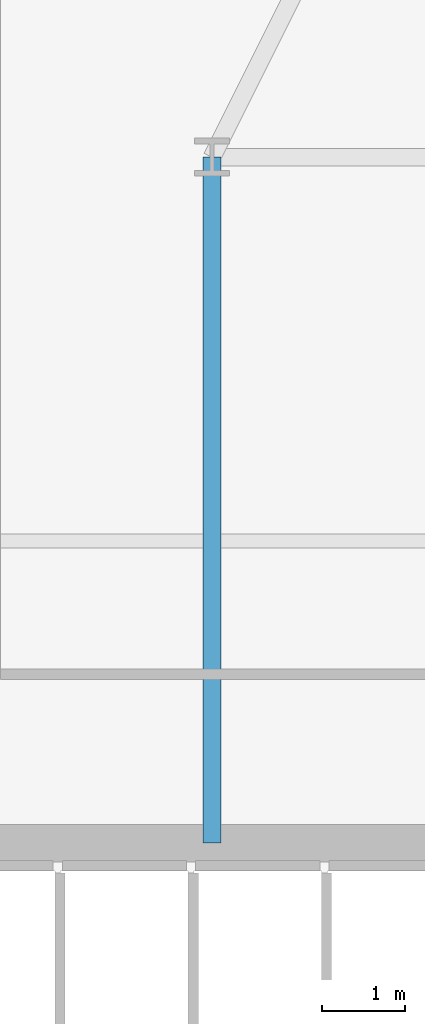
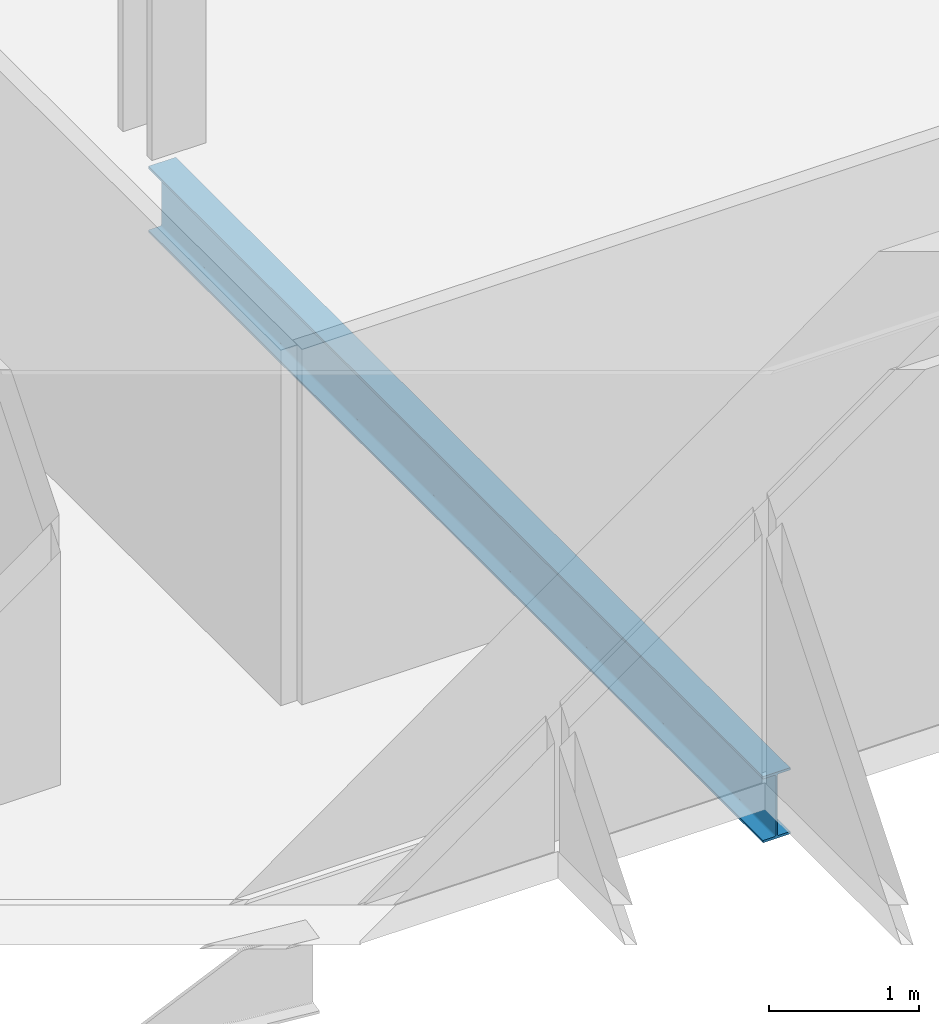
# One storey, part 6 of 32: 1 beam.
"""IFC4 building model written with IfcOpenShell, lengths in metres."""

from ifc_helpers import new_model, si_unit, direction, frame, origin, origin_2d, place, context, subcontext, project, spatial, i_section, extrude, material, material_profile, profile_set, type_object, element, save


model = new_model("IFC4")

# Units and contexts
model_context = context("Model", 3, precision=1e-05, world=origin(), true_north=direction((0.0, 1.0)))
body_context = subcontext(model_context, "Body", "Model", "MODEL_VIEW")
ifc_project = project(units=[si_unit("LENGTHUNIT", "METRE"), si_unit("AREAUNIT", "SQUARE_METRE"), si_unit("VOLUMEUNIT", "CUBIC_METRE"), si_unit("PLANEANGLEUNIT", "RADIAN"), si_unit("MASSUNIT", "GRAM", prefix="KILO")], contexts=[model_context])

# Site, building, storey
site_placement = place(None, origin())
site = spatial("IfcSite", under=ifc_project, at=site_placement, CompositionType="ELEMENT")
building_placement = place(site_placement, origin())
building = spatial("IfcBuilding", under=site, at=building_placement, Name="Ndaravel Arena Tower", CompositionType="ELEMENT")
storey_placement = place(building_placement, frame((0.0, 0.0, 62.60009765625)))
storey = spatial("IfcBuildingStorey", under=building, at=storey_placement, Name="L13", CompositionType="ELEMENT", Elevation=62.60009765625)

# Beam
ifc_material = material(Name="Steel S355", Category="steel")
ifc_material_profile = material_profile(ifc_material, i_section(OverallWidth=0.210693359375, OverallDepth=0.53955078125, WebThickness=0.01171875, FlangeThickness=0.018798828125, FilletRadius=0.0126953125, at=origin_2d()), Name="UB 533x210x109")
ifc_profile_set = profile_set([ifc_material_profile], Name="Steel S355")
beam_type = type_object("IfcBeamType", Name="BM-GIRD-UB533", PredefinedType="BEAM", material=ifc_profile_set)
beam_placement = place(storey_placement, frame((34.199951171875, 14.97998046875, -0.48974609375), z_axis=(0.0, 1.0, 0.0), x_axis=(-1.0, 0.0, 0.0)))
element("IfcBeam", 1, at=beam_placement, inside=storey, type_object=beam_type, Name="L13 Spine Link Girder SLG-01", PredefinedType="BEAM", context=body_context, shape_type="SweptSolid", body=[
    extrude(i_section(OverallWidth=0.210693359375, OverallDepth=0.53955078125, WebThickness=0.01171875, FlangeThickness=0.018798828125, FilletRadius=0.0126953125, at=origin_2d()), origin(), (0.0, 0.0, 1.0), 8.219970703125),
])

save(model, "model.ifc")
